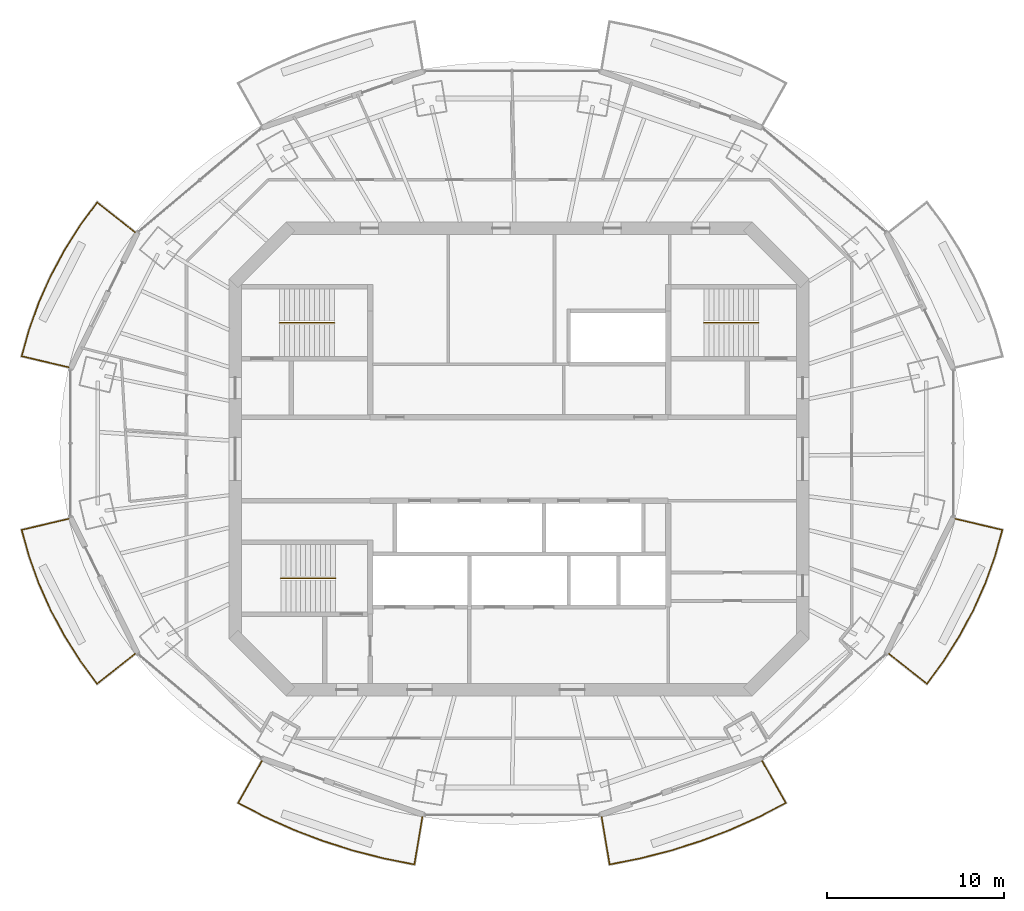
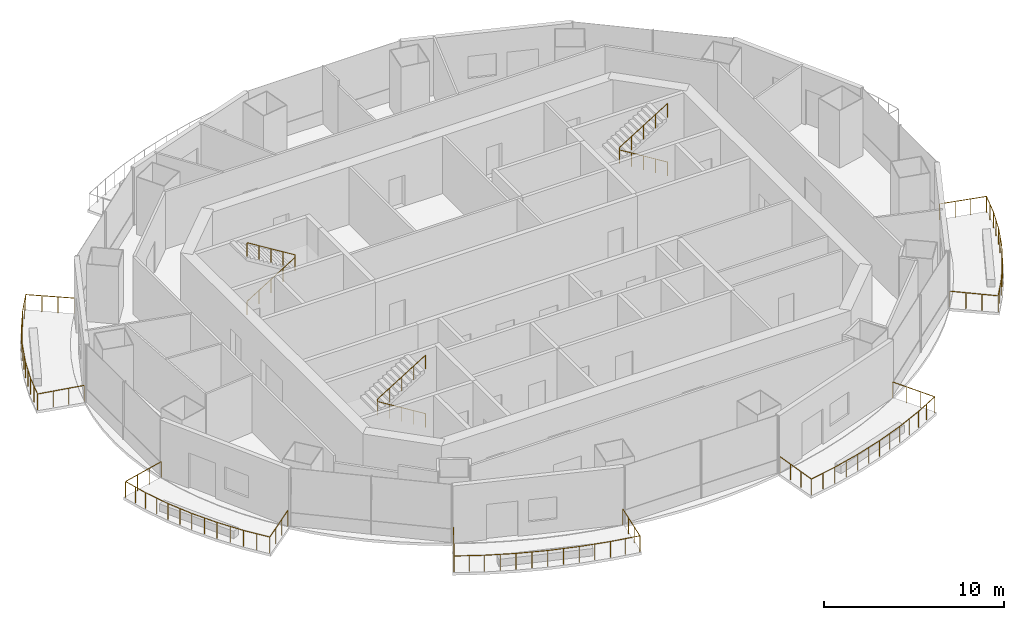
# One storey, part 12 of 14: 8 railings.
"""IFC4 building model written with IfcOpenShell, lengths in metres."""

from ifc_helpers import new_model, si_unit, direction, frame, origin, origin_2d, place, context, subcontext, project, spatial, circle, extrude, material, type_object, element, save


model = new_model("IFC4")

# Units and contexts
model_context = context("Model", 3, precision=1e-05, world=origin(), true_north=direction((0.0, 1.0)))
body_context = subcontext(model_context, "Body", "Model", "MODEL_VIEW")
ifc_project = project(units=[si_unit("LENGTHUNIT", "METRE"), si_unit("AREAUNIT", "SQUARE_METRE"), si_unit("VOLUMEUNIT", "CUBIC_METRE"), si_unit("PLANEANGLEUNIT", "RADIAN"), si_unit("MASSUNIT", "GRAM", prefix="KILO")], contexts=[model_context])

# Site, building, storey
site_placement = place(None, origin())
site = spatial("IfcSite", under=ifc_project, at=site_placement, CompositionType="ELEMENT")
building_placement = place(site_placement, origin())
building = spatial("IfcBuilding", under=site, at=building_placement, Name="Marenthal Gate Tower", CompositionType="ELEMENT")
storey_placement = place(building_placement, frame((0.0, 0.0, 392.39990234375)))
storey = spatial("IfcBuildingStorey", under=building, at=storey_placement, Name="L89", CompositionType="ELEMENT", Elevation=392.39990234375)

# Railings
ifc_material_1 = material(Name="Stainless steel", Category="steel")
railing_type_1 = type_object("IfcRailingType", Name="Balcony guard 1100", PredefinedType="GUARDRAIL", material=ifc_material_1)
railing_1_placement = place(storey_placement, frame((-25.3916015625, 5.17236328125, 0.0)))
element("IfcRailing", 1, at=railing_1_placement, inside=storey, type_object=railing_type_1, Name="Balcony guard L89 bay 7", PredefinedType="GUARDRAIL", context=body_context, shape_type="SweptSolid", body=[
    extrude(circle(Radius=0.02392578125, at=origin_2d()), frame((0.0, 0.0, 1.076171875), z_axis=(-0.97324351076, 0.229309956657, -0.014629167489), x_axis=(-0.2293344982, -0.973347670637, 0.0)), (0.0, 0.0, 1.0), 2.72021484375),
    extrude(circle(Radius=0.02392578125, at=origin_2d()), frame((-2.6474609375, 0.623779296875, 1.0361328125), z_axis=(0.268383876194, 0.963312044459, 0.0), x_axis=(-0.963312044459, 0.268383876194, 0.0)), (0.0, 0.0, 1.0), 1.54833984375),
    extrude(circle(Radius=0.02392578125, at=origin_2d()), frame((-2.23193359375, 2.115234375, 1.0361328125), z_axis=(0.338455003205, 0.940982577312, 0.0), x_axis=(-0.940982577312, 0.338455003205, 0.0)), (0.0, 0.0, 1.0), 1.634521484375),
    extrude(circle(Radius=0.02392578125, at=origin_2d()), frame((-1.6787109375, 3.6533203125, 1.0361328125), z_axis=(0.40761322546, 0.91315467388, 0.0), x_axis=(-0.91315467388, 0.40761322546, 0.0)), (0.0, 0.0, 1.0), 1.642822265625),
    extrude(circle(Radius=0.02392578125, at=origin_2d()), frame((-1.009033203125, 5.153564453125, 1.0361328125), z_axis=(0.473209477618, 0.880949936315, 0.0), x_axis=(-0.880949936315, 0.473209477618, 0.0)), (0.0, 0.0, 1.0), 1.652099609375),
    extrude(circle(Radius=0.02392578125, at=origin_2d()), frame((-0.227294921875, 6.60888671875, 1.0361328125), z_axis=(0.53537343379, 0.844615466583, 0.0), x_axis=(-0.844615466583, 0.53537343379, 0.0)), (0.0, 0.0, 1.0), 1.66259765625),
    extrude(circle(Radius=0.02392578125, at=origin_2d()), frame((0.662841796875, 8.01318359375, 1.0361328125), z_axis=(0.592007425155, 0.805932508689, 0.0), x_axis=(-0.805932508689, 0.592007425155, 0.0)), (0.0, 0.0, 1.0), 1.59423828125),
    extrude(circle(Radius=0.02392578125, at=origin_2d()), frame((1.606689453125, 9.298095703125, 1.0361328125), z_axis=(0.783961941337, -0.620636536892, 0.014627495013), x_axis=(0.620702944366, 0.784045824462, 0.0)), (0.0, 0.0, 1.0), 2.720458984375),
    extrude(circle(Radius=0.02099609375, at=origin_2d()), origin(), (0.0, 0.0, 1.0), 1.052001953125),
    extrude(circle(Radius=0.02099609375, at=origin_2d()), frame((-0.882568359375, 0.2080078125, -0.01318359375)), (0.0, 0.0, 1.0), 1.052001953125),
    extrude(circle(Radius=0.02099609375, at=origin_2d()), frame((-1.764892578125, 0.415771484375, -0.026611328125)), (0.0, 0.0, 1.0), 1.052001953125),
    extrude(circle(Radius=0.02099609375, at=origin_2d()), frame((-2.6474609375, 0.623779296875, -0.039794921875)), (0.0, 0.0, 1.0), 1.052001953125),
    extrude(circle(Radius=0.02099609375, at=origin_2d()), frame((-2.439697265625, 1.36962890625, -0.039794921875)), (0.0, 0.0, 1.0), 1.052001953125),
    extrude(circle(Radius=0.02099609375, at=origin_2d()), frame((-2.23193359375, 2.115234375, -0.039794921875)), (0.0, 0.0, 1.0), 1.052001953125),
    extrude(circle(Radius=0.02099609375, at=origin_2d()), frame((-1.955322265625, 2.88427734375, -0.039794921875)), (0.0, 0.0, 1.0), 1.052001953125),
    extrude(circle(Radius=0.02099609375, at=origin_2d()), frame((-1.6787109375, 3.6533203125, -0.039794921875)), (0.0, 0.0, 1.0), 1.052001953125),
    extrude(circle(Radius=0.02099609375, at=origin_2d()), frame((-1.34375, 4.4033203125, -0.039794921875)), (0.0, 0.0, 1.0), 1.052001953125),
    extrude(circle(Radius=0.02099609375, at=origin_2d()), frame((-1.009033203125, 5.153564453125, -0.039794921875)), (0.0, 0.0, 1.0), 1.052001953125),
    extrude(circle(Radius=0.02099609375, at=origin_2d()), frame((-0.6181640625, 5.88134765625, -0.039794921875)), (0.0, 0.0, 1.0), 1.052001953125),
    extrude(circle(Radius=0.02099609375, at=origin_2d()), frame((-0.227294921875, 6.60888671875, -0.039794921875)), (0.0, 0.0, 1.0), 1.052001953125),
    extrude(circle(Radius=0.02099609375, at=origin_2d()), frame((0.2177734375, 7.31103515625, -0.039794921875)), (0.0, 0.0, 1.0), 1.052001953125),
    extrude(circle(Radius=0.02099609375, at=origin_2d()), frame((0.662841796875, 8.01318359375, -0.039794921875)), (0.0, 0.0, 1.0), 1.052001953125),
    extrude(circle(Radius=0.02099609375, at=origin_2d()), frame((1.134765625, 8.65576171875, -0.039794921875)), (0.0, 0.0, 1.0), 1.052001953125),
    extrude(circle(Radius=0.02099609375, at=origin_2d()), frame((1.606689453125, 9.298095703125, -0.039794921875)), (0.0, 0.0, 1.0), 1.052001953125),
    extrude(circle(Radius=0.02099609375, at=origin_2d()), frame((2.317626953125, 8.7353515625, -0.026611328125)), (0.0, 0.0, 1.0), 1.052001953125),
    extrude(circle(Radius=0.02099609375, at=origin_2d()), frame((3.028564453125, 8.17236328125, -0.01318359375)), (0.0, 0.0, 1.0), 1.052001953125),
    extrude(circle(Radius=0.02099609375, at=origin_2d()), frame((3.739501953125, 7.609619140625, 0.0)), (0.0, 0.0, 1.0), 1.052001953125),
])
railing_2_placement = place(storey_placement, frame((-21.652099609375, -10.982177734375, 0.0)))
element("IfcRailing", 2, at=railing_2_placement, inside=storey, type_object=railing_type_1, Name="Balcony guard L89 bay 9", PredefinedType="GUARDRAIL", context=body_context, shape_type="SweptSolid", body=[
    extrude(circle(Radius=0.02392578125, at=origin_2d()), frame((0.0, 0.0, 1.076171875), z_axis=(-0.784005604938, -0.620581359678, -0.014628309708), x_axis=(0.620647768646, -0.784089502082, 0.0)), (0.0, 0.0, 1.0), 2.720458984375),
    extrude(circle(Radius=0.02392578125, at=origin_2d()), frame((-2.1328125, -1.688232421875, 1.0361328125), z_axis=(-0.592080493668, 0.805878830233, 0.0), x_axis=(-0.805878830233, -0.592080493668, 0.0)), (0.0, 0.0, 1.0), 1.59423828125),
    extrude(circle(Radius=0.02392578125, at=origin_2d()), frame((-3.07666015625, -0.403564453125, 1.0361328125), z_axis=(-0.535307042217, 0.844657546318, 0.0), x_axis=(-0.844657546318, -0.535307042217, 0.0)), (0.0, 0.0, 1.0), 1.662841796875),
    extrude(circle(Radius=0.02392578125, at=origin_2d()), frame((-3.966796875, 1.0009765625, 1.0361328125), z_axis=(-0.473209477618, 0.880949936315, 0.0), x_axis=(-0.880949936315, -0.473209477618, 0.0)), (0.0, 0.0, 1.0), 1.652099609375),
    extrude(circle(Radius=0.02392578125, at=origin_2d()), frame((-4.74853515625, 2.456298828125, 1.0361328125), z_axis=(-0.40761322546, 0.91315467388, 0.0), x_axis=(-0.91315467388, -0.40761322546, 0.0)), (0.0, 0.0, 1.0), 1.642822265625),
    extrude(circle(Radius=0.02392578125, at=origin_2d()), frame((-5.418212890625, 3.95654296875, 1.0361328125), z_axis=(-0.338455003205, 0.940982577312, 0.0), x_axis=(-0.940982577312, -0.338455003205, 0.0)), (0.0, 0.0, 1.0), 1.634521484375),
    extrude(circle(Radius=0.02392578125, at=origin_2d()), frame((-5.971435546875, 5.49462890625, 1.0361328125), z_axis=(-0.268383876194, 0.963312044459, 0.0), x_axis=(-0.963312044459, -0.268383876194, 0.0)), (0.0, 0.0, 1.0), 1.54833984375),
    extrude(circle(Radius=0.02392578125, at=origin_2d()), frame((-6.386962890625, 6.986083984375, 1.0361328125), z_axis=(0.97324351076, 0.229309956657, 0.014629167489), x_axis=(-0.2293344982, 0.973347670637, 0.0)), (0.0, 0.0, 1.0), 2.72021484375),
    extrude(circle(Radius=0.02099609375, at=origin_2d()), origin(), (0.0, 0.0, 1.0), 1.052001953125),
    extrude(circle(Radius=0.02099609375, at=origin_2d()), frame((-0.7109375, -0.562744140625, -0.01318359375)), (0.0, 0.0, 1.0), 1.052001953125),
    extrude(circle(Radius=0.02099609375, at=origin_2d()), frame((-1.421875, -1.12548828125, -0.026611328125)), (0.0, 0.0, 1.0), 1.052001953125),
    extrude(circle(Radius=0.02099609375, at=origin_2d()), frame((-2.1328125, -1.688232421875, -0.039794921875)), (0.0, 0.0, 1.0), 1.052001953125),
    extrude(circle(Radius=0.02099609375, at=origin_2d()), frame((-2.604736328125, -1.0458984375, -0.039794921875)), (0.0, 0.0, 1.0), 1.052001953125),
    extrude(circle(Radius=0.02099609375, at=origin_2d()), frame((-3.07666015625, -0.403564453125, -0.039794921875)), (0.0, 0.0, 1.0), 1.052001953125),
    extrude(circle(Radius=0.02099609375, at=origin_2d()), frame((-3.521728515625, 0.298828125, -0.039794921875)), (0.0, 0.0, 1.0), 1.052001953125),
    extrude(circle(Radius=0.02099609375, at=origin_2d()), frame((-3.966796875, 1.0009765625, -0.039794921875)), (0.0, 0.0, 1.0), 1.052001953125),
    extrude(circle(Radius=0.02099609375, at=origin_2d()), frame((-4.357666015625, 1.728515625, -0.039794921875)), (0.0, 0.0, 1.0), 1.052001953125),
    extrude(circle(Radius=0.02099609375, at=origin_2d()), frame((-4.74853515625, 2.456298828125, -0.039794921875)), (0.0, 0.0, 1.0), 1.052001953125),
    extrude(circle(Radius=0.02099609375, at=origin_2d()), frame((-5.08349609375, 3.20654296875, -0.039794921875)), (0.0, 0.0, 1.0), 1.052001953125),
    extrude(circle(Radius=0.02099609375, at=origin_2d()), frame((-5.418212890625, 3.95654296875, -0.039794921875)), (0.0, 0.0, 1.0), 1.052001953125),
    extrude(circle(Radius=0.02099609375, at=origin_2d()), frame((-5.69482421875, 4.7255859375, -0.039794921875)), (0.0, 0.0, 1.0), 1.052001953125),
    extrude(circle(Radius=0.02099609375, at=origin_2d()), frame((-5.971435546875, 5.49462890625, -0.039794921875)), (0.0, 0.0, 1.0), 1.052001953125),
    extrude(circle(Radius=0.02099609375, at=origin_2d()), frame((-6.17919921875, 6.240234375, -0.039794921875)), (0.0, 0.0, 1.0), 1.052001953125),
    extrude(circle(Radius=0.02099609375, at=origin_2d()), frame((-6.386962890625, 6.986083984375, -0.039794921875)), (0.0, 0.0, 1.0), 1.052001953125),
    extrude(circle(Radius=0.02099609375, at=origin_2d()), frame((-5.50439453125, 7.194091796875, -0.026611328125)), (0.0, 0.0, 1.0), 1.052001953125),
    extrude(circle(Radius=0.02099609375, at=origin_2d()), frame((-4.6220703125, 7.40185546875, -0.01318359375)), (0.0, 0.0, 1.0), 1.052001953125),
    extrude(circle(Radius=0.02099609375, at=origin_2d()), frame((-3.739501953125, 7.60986328125, 0.0)), (0.0, 0.0, 1.0), 1.052001953125),
])
railing_3_placement = place(storey_placement, frame((-5.45361328125, -20.173583984375, 0.0)))
element("IfcRailing", 3, at=railing_3_placement, inside=storey, type_object=railing_type_1, Name="Balcony guard L89 bay 11", PredefinedType="GUARDRAIL", context=body_context, shape_type="SweptSolid", body=[
    extrude(circle(Radius=0.02392578125, at=origin_2d()), frame((0.0, 0.0, 1.076171875), z_axis=(-0.165574607634, -0.986088774354, -0.014628000566), x_axis=(0.986194292137, -0.165592325172, 0.0)), (0.0, 0.0, 1.0), 2.720458984375),
    extrude(circle(Radius=0.02392578125, at=origin_2d()), frame((-0.450439453125, -2.6826171875, 1.0361328125), z_axis=(-0.980964438723, 0.194187460876, 0.0), x_axis=(-0.194187460876, -0.980964438723, 0.0)), (0.0, 0.0, 1.0), 1.728759765625),
    extrude(circle(Radius=0.02392578125, at=origin_2d()), frame((-2.146240234375, -2.346923828125, 1.0361328125), z_axis=(-0.968780763382, 0.247919003914, 0.0), x_axis=(-0.247919003914, -0.968780763382, 0.0)), (0.0, 0.0, 1.0), 1.802001953125),
    extrude(circle(Radius=0.02392578125, at=origin_2d()), frame((-3.89208984375, -1.900146484375, 1.0361328125), z_axis=(-0.95315602873, 0.30247906522, 0.0), x_axis=(-0.30247906522, -0.95315602873, 0.0)), (0.0, 0.0, 1.0), 1.794189453125),
    extrude(circle(Radius=0.02392578125, at=origin_2d()), frame((-5.602294921875, -1.357421875, 1.0361328125), z_axis=(-0.934181923489, 0.356797048512, 0.0), x_axis=(-0.356797048512, -0.934181923489, 0.0)), (0.0, 0.0, 1.0), 1.78515625),
    extrude(circle(Radius=0.02392578125, at=origin_2d()), frame((-7.27001953125, -0.720458984375, 1.0361328125), z_axis=(-0.911620111455, 0.411033784975, 0.0), x_axis=(-0.411033784975, -0.911620111455, 0.0)), (0.0, 0.0, 1.0), 1.774658203125),
    extrude(circle(Radius=0.02392578125, at=origin_2d()), frame((-8.887939453125, 0.009033203125, 1.0361328125), z_axis=(-0.88630797914, 0.463096281688, 0.0), x_axis=(-0.463096281688, -0.88630797914, 0.0)), (0.0, 0.0, 1.0), 1.683349609375),
    extrude(circle(Radius=0.02392578125, at=origin_2d()), frame((-10.3798828125, 0.78857421875, 1.0361328125), z_axis=(0.491197032931, 0.870925636317, 0.014629109514), x_axis=(-0.871018845044, 0.491249602115, 0.0)), (0.0, 0.0, 1.0), 2.72021484375),
    extrude(circle(Radius=0.02099609375, at=origin_2d()), origin(), (0.0, 0.0, 1.0), 1.052001953125),
    extrude(circle(Radius=0.02099609375, at=origin_2d()), frame((-0.150146484375, -0.894287109375, -0.01318359375)), (0.0, 0.0, 1.0), 1.052001953125),
    extrude(circle(Radius=0.02099609375, at=origin_2d()), frame((-0.30029296875, -1.788330078125, -0.026611328125)), (0.0, 0.0, 1.0), 1.052001953125),
    extrude(circle(Radius=0.02099609375, at=origin_2d()), frame((-0.450439453125, -2.6826171875, -0.039794921875)), (0.0, 0.0, 1.0), 1.052001953125),
    extrude(circle(Radius=0.02099609375, at=origin_2d()), frame((-1.29833984375, -2.5146484375, -0.039794921875)), (0.0, 0.0, 1.0), 1.052001953125),
    extrude(circle(Radius=0.02099609375, at=origin_2d()), frame((-2.146240234375, -2.346923828125, -0.039794921875)), (0.0, 0.0, 1.0), 1.052001953125),
    extrude(circle(Radius=0.02099609375, at=origin_2d()), frame((-3.01904296875, -2.12353515625, -0.039794921875)), (0.0, 0.0, 1.0), 1.052001953125),
    extrude(circle(Radius=0.02099609375, at=origin_2d()), frame((-3.89208984375, -1.900146484375, -0.039794921875)), (0.0, 0.0, 1.0), 1.052001953125),
    extrude(circle(Radius=0.02099609375, at=origin_2d()), frame((-4.7470703125, -1.62890625, -0.039794921875)), (0.0, 0.0, 1.0), 1.052001953125),
    extrude(circle(Radius=0.02099609375, at=origin_2d()), frame((-5.602294921875, -1.357421875, -0.039794921875)), (0.0, 0.0, 1.0), 1.052001953125),
    extrude(circle(Radius=0.02099609375, at=origin_2d()), frame((-6.43603515625, -1.0390625, -0.039794921875)), (0.0, 0.0, 1.0), 1.052001953125),
    extrude(circle(Radius=0.02099609375, at=origin_2d()), frame((-7.27001953125, -0.720458984375, -0.039794921875)), (0.0, 0.0, 1.0), 1.052001953125),
    extrude(circle(Radius=0.02099609375, at=origin_2d()), frame((-8.0791015625, -0.355712890625, -0.039794921875)), (0.0, 0.0, 1.0), 1.052001953125),
    extrude(circle(Radius=0.02099609375, at=origin_2d()), frame((-8.887939453125, 0.009033203125, -0.039794921875)), (0.0, 0.0, 1.0), 1.052001953125),
    extrude(circle(Radius=0.02099609375, at=origin_2d()), frame((-9.6337890625, 0.39892578125, -0.039794921875)), (0.0, 0.0, 1.0), 1.052001953125),
    extrude(circle(Radius=0.02099609375, at=origin_2d()), frame((-10.3798828125, 0.78857421875, -0.039794921875)), (0.0, 0.0, 1.0), 1.052001953125),
    extrude(circle(Radius=0.02099609375, at=origin_2d()), frame((-9.9345703125, 1.578369140625, -0.026611328125)), (0.0, 0.0, 1.0), 1.052001953125),
    extrude(circle(Radius=0.02099609375, at=origin_2d()), frame((-9.489013671875, 2.367919921875, -0.01318359375)), (0.0, 0.0, 1.0), 1.052001953125),
    extrude(circle(Radius=0.02099609375, at=origin_2d()), frame((-9.043701171875, 3.15771484375, 0.0)), (0.0, 0.0, 1.0), 1.052001953125),
])
railing_4_placement = place(storey_placement, frame((13.697265625, -17.015869140625, 0.0)))
element("IfcRailing", 4, at=railing_4_placement, inside=storey, type_object=railing_type_1, Name="Balcony guard L89 bay 13", PredefinedType="GUARDRAIL", context=body_context, shape_type="SweptSolid", body=[
    extrude(circle(Radius=0.02392578125, at=origin_2d()), frame((0.0, 0.0, 1.076171875), z_axis=(0.491197032931, -0.870925636317, -0.014629109514), x_axis=(0.871018845044, 0.491249602115, 0.0)), (0.0, 0.0, 1.0), 2.72021484375),
    extrude(circle(Radius=0.02392578125, at=origin_2d()), frame((1.336181640625, -2.369140625, 1.0361328125), z_axis=(-0.88630797914, -0.463096281688, 0.0), x_axis=(0.463096281688, -0.88630797914, 0.0)), (0.0, 0.0, 1.0), 1.683349609375),
    extrude(circle(Radius=0.02392578125, at=origin_2d()), frame((-0.15576171875, -3.148681640625, 1.0361328125), z_axis=(-0.911620111455, -0.411033784975, 0.0), x_axis=(0.411033784975, -0.911620111455, 0.0)), (0.0, 0.0, 1.0), 1.774658203125),
    extrude(circle(Radius=0.02392578125, at=origin_2d()), frame((-1.773681640625, -3.878173828125, 1.0361328125), z_axis=(-0.934164510517, -0.356842636594, 0.0), x_axis=(0.356842636594, -0.934164510517, 0.0)), (0.0, 0.0, 1.0), 1.784912109375),
    extrude(circle(Radius=0.02392578125, at=origin_2d()), frame((-3.441162109375, -4.51513671875, 1.0361328125), z_axis=(-0.95315602873, -0.30247906522, 0.0), x_axis=(0.30247906522, -0.95315602873, 0.0)), (0.0, 0.0, 1.0), 1.794189453125),
    extrude(circle(Radius=0.02392578125, at=origin_2d()), frame((-5.1513671875, -5.057861328125, 1.0361328125), z_axis=(-0.968789088547, -0.247886469804, 0.0), x_axis=(0.247886469804, -0.968789088547, 0.0)), (0.0, 0.0, 1.0), 1.80224609375),
    extrude(circle(Radius=0.02392578125, at=origin_2d()), frame((-6.8974609375, -5.504638671875, 1.0361328125), z_axis=(-0.980964438723, -0.194187460876, 0.0), x_axis=(0.194187460876, -0.980964438723, 0.0)), (0.0, 0.0, 1.0), 1.728759765625),
    extrude(circle(Radius=0.02392578125, at=origin_2d()), frame((-8.59326171875, -5.84033203125, 1.0361328125), z_axis=(-0.165487323636, 0.986103423053, 0.01462821787), x_axis=(-0.98620894554, -0.16550503236, 0.0)), (0.0, 0.0, 1.0), 2.720458984375),
    extrude(circle(Radius=0.02099609375, at=origin_2d()), origin(), (0.0, 0.0, 1.0), 1.052001953125),
    extrude(circle(Radius=0.02099609375, at=origin_2d()), frame((0.4453125, -0.789794921875, -0.01318359375)), (0.0, 0.0, 1.0), 1.052001953125),
    extrude(circle(Radius=0.02099609375, at=origin_2d()), frame((0.890869140625, -1.579345703125, -0.026611328125)), (0.0, 0.0, 1.0), 1.052001953125),
    extrude(circle(Radius=0.02099609375, at=origin_2d()), frame((1.336181640625, -2.369140625, -0.039794921875)), (0.0, 0.0, 1.0), 1.052001953125),
    extrude(circle(Radius=0.02099609375, at=origin_2d()), frame((0.59033203125, -2.7587890625, -0.039794921875)), (0.0, 0.0, 1.0), 1.052001953125),
    extrude(circle(Radius=0.02099609375, at=origin_2d()), frame((-0.15576171875, -3.148681640625, -0.039794921875)), (0.0, 0.0, 1.0), 1.052001953125),
    extrude(circle(Radius=0.02099609375, at=origin_2d()), frame((-0.96484375, -3.513427734375, -0.039794921875)), (0.0, 0.0, 1.0), 1.052001953125),
    extrude(circle(Radius=0.02099609375, at=origin_2d()), frame((-1.773681640625, -3.878173828125, -0.039794921875)), (0.0, 0.0, 1.0), 1.052001953125),
    extrude(circle(Radius=0.02099609375, at=origin_2d()), frame((-2.607421875, -4.19677734375, -0.039794921875)), (0.0, 0.0, 1.0), 1.052001953125),
    extrude(circle(Radius=0.02099609375, at=origin_2d()), frame((-3.441162109375, -4.51513671875, -0.039794921875)), (0.0, 0.0, 1.0), 1.052001953125),
    extrude(circle(Radius=0.02099609375, at=origin_2d()), frame((-4.29638671875, -4.78662109375, -0.039794921875)), (0.0, 0.0, 1.0), 1.052001953125),
    extrude(circle(Radius=0.02099609375, at=origin_2d()), frame((-5.1513671875, -5.057861328125, -0.039794921875)), (0.0, 0.0, 1.0), 1.052001953125),
    extrude(circle(Radius=0.02099609375, at=origin_2d()), frame((-6.0244140625, -5.28125, -0.039794921875)), (0.0, 0.0, 1.0), 1.052001953125),
    extrude(circle(Radius=0.02099609375, at=origin_2d()), frame((-6.8974609375, -5.504638671875, -0.039794921875)), (0.0, 0.0, 1.0), 1.052001953125),
    extrude(circle(Radius=0.02099609375, at=origin_2d()), frame((-7.745361328125, -5.67236328125, -0.039794921875)), (0.0, 0.0, 1.0), 1.052001953125),
    extrude(circle(Radius=0.02099609375, at=origin_2d()), frame((-8.59326171875, -5.84033203125, -0.039794921875)), (0.0, 0.0, 1.0), 1.052001953125),
    extrude(circle(Radius=0.02099609375, at=origin_2d()), frame((-8.743408203125, -4.946044921875, -0.026611328125)), (0.0, 0.0, 1.0), 1.052001953125),
    extrude(circle(Radius=0.02099609375, at=origin_2d()), frame((-8.893310546875, -4.052001953125, -0.01318359375)), (0.0, 0.0, 1.0), 1.052001953125),
    extrude(circle(Radius=0.02099609375, at=origin_2d()), frame((-9.04345703125, -3.15771484375, 0.0)), (0.0, 0.0, 1.0), 1.052001953125),
])
railing_5_placement = place(storey_placement, frame((24.591552734375, -3.372314453125, 0.0)))
element("IfcRailing", 5, at=railing_5_placement, inside=storey, type_object=railing_type_1, Name="Balcony guard L89 bay 15", PredefinedType="GUARDRAIL", context=body_context, shape_type="SweptSolid", body=[
    extrude(circle(Radius=0.02392578125, at=origin_2d()), frame((0.0, 0.0, 1.076171875), z_axis=(0.97324351076, -0.229309956657, -0.014629167489), x_axis=(0.2293344982, 0.973347670637, 0.0)), (0.0, 0.0, 1.0), 2.72021484375),
    extrude(circle(Radius=0.02392578125, at=origin_2d()), frame((2.6474609375, -0.623779296875, 1.0361328125), z_axis=(-0.268237537757, -0.963352803151, 0.0), x_axis=(0.963352803151, -0.268237537757, 0.0)), (0.0, 0.0, 1.0), 1.548095703125),
    extrude(circle(Radius=0.02392578125, at=origin_2d()), frame((2.232177734375, -2.115234375, 1.0361328125), z_axis=(-0.338587245769, -0.940935001476, 0.0), x_axis=(0.940935001476, -0.338587245769, 0.0)), (0.0, 0.0, 1.0), 1.634521484375),
    extrude(circle(Radius=0.02392578125, at=origin_2d()), frame((1.6787109375, -3.6533203125, 1.0361328125), z_axis=(-0.407489302834, -0.913209980276, 0.0), x_axis=(0.913209980276, -0.407489302834, 0.0)), (0.0, 0.0, 1.0), 1.642822265625),
    extrude(circle(Radius=0.02392578125, at=origin_2d()), frame((1.00927734375, -5.153564453125, 1.0361328125), z_axis=(-0.473324157966, -0.880888325207, 0.0), x_axis=(0.880888325207, -0.473324157966, 0.0)), (0.0, 0.0, 1.0), 1.652099609375),
    extrude(circle(Radius=0.02392578125, at=origin_2d()), frame((0.227294921875, -6.60888671875, 1.0361328125), z_axis=(-0.535307042217, -0.844657546318, 0.0), x_axis=(0.844657546318, -0.535307042217, 0.0)), (0.0, 0.0, 1.0), 1.662841796875),
    extrude(circle(Radius=0.02392578125, at=origin_2d()), frame((-0.662841796875, -8.013427734375, 1.0361328125), z_axis=(-0.592080493668, -0.805878830233, 0.0), x_axis=(0.805878830233, -0.592080493668, 0.0)), (0.0, 0.0, 1.0), 1.59423828125),
    extrude(circle(Radius=0.02392578125, at=origin_2d()), frame((-1.606689453125, -9.298095703125, 1.0361328125), z_axis=(-0.783971019676, 0.62062502588, 0.014629339005), x_axis=(-0.620691448869, -0.784054924926, 0.0)), (0.0, 0.0, 1.0), 2.72021484375),
    extrude(circle(Radius=0.02099609375, at=origin_2d()), origin(), (0.0, 0.0, 1.0), 1.052001953125),
    extrude(circle(Radius=0.02099609375, at=origin_2d()), frame((0.882568359375, -0.2080078125, -0.01318359375)), (0.0, 0.0, 1.0), 1.052001953125),
    extrude(circle(Radius=0.02099609375, at=origin_2d()), frame((1.764892578125, -0.415771484375, -0.026611328125)), (0.0, 0.0, 1.0), 1.052001953125),
    extrude(circle(Radius=0.02099609375, at=origin_2d()), frame((2.6474609375, -0.623779296875, -0.039794921875)), (0.0, 0.0, 1.0), 1.052001953125),
    extrude(circle(Radius=0.02099609375, at=origin_2d()), frame((2.43994140625, -1.36962890625, -0.039794921875)), (0.0, 0.0, 1.0), 1.052001953125),
    extrude(circle(Radius=0.02099609375, at=origin_2d()), frame((2.232177734375, -2.115234375, -0.039794921875)), (0.0, 0.0, 1.0), 1.052001953125),
    extrude(circle(Radius=0.02099609375, at=origin_2d()), frame((1.95556640625, -2.88427734375, -0.039794921875)), (0.0, 0.0, 1.0), 1.052001953125),
    extrude(circle(Radius=0.02099609375, at=origin_2d()), frame((1.6787109375, -3.6533203125, -0.039794921875)), (0.0, 0.0, 1.0), 1.052001953125),
    extrude(circle(Radius=0.02099609375, at=origin_2d()), frame((1.343994140625, -4.4033203125, -0.039794921875)), (0.0, 0.0, 1.0), 1.052001953125),
    extrude(circle(Radius=0.02099609375, at=origin_2d()), frame((1.00927734375, -5.153564453125, -0.039794921875)), (0.0, 0.0, 1.0), 1.052001953125),
    extrude(circle(Radius=0.02099609375, at=origin_2d()), frame((0.6181640625, -5.88134765625, -0.039794921875)), (0.0, 0.0, 1.0), 1.052001953125),
    extrude(circle(Radius=0.02099609375, at=origin_2d()), frame((0.227294921875, -6.60888671875, -0.039794921875)), (0.0, 0.0, 1.0), 1.052001953125),
    extrude(circle(Radius=0.02099609375, at=origin_2d()), frame((-0.2177734375, -7.31103515625, -0.039794921875)), (0.0, 0.0, 1.0), 1.052001953125),
    extrude(circle(Radius=0.02099609375, at=origin_2d()), frame((-0.662841796875, -8.013427734375, -0.039794921875)), (0.0, 0.0, 1.0), 1.052001953125),
    extrude(circle(Radius=0.02099609375, at=origin_2d()), frame((-1.134765625, -8.65576171875, -0.039794921875)), (0.0, 0.0, 1.0), 1.052001953125),
    extrude(circle(Radius=0.02099609375, at=origin_2d()), frame((-1.606689453125, -9.298095703125, -0.039794921875)), (0.0, 0.0, 1.0), 1.052001953125),
    extrude(circle(Radius=0.02099609375, at=origin_2d()), frame((-2.317626953125, -8.7353515625, -0.026611328125)), (0.0, 0.0, 1.0), 1.052001953125),
    extrude(circle(Radius=0.02099609375, at=origin_2d()), frame((-3.0283203125, -8.172607421875, -0.01318359375)), (0.0, 0.0, 1.0), 1.052001953125),
    extrude(circle(Radius=0.02099609375, at=origin_2d()), frame((-3.7392578125, -7.60986328125, 0.0)), (0.0, 0.0, 1.0), 1.052001953125),
])
ifc_material_2 = material(Name="Stainless steel", Category="steel")
railing_type_2 = type_object("IfcRailingType", Name="Stair handrail", PredefinedType="HANDRAIL", material=ifc_material_2)
railing_6_placement = place(storey_placement, frame((-13.5, 7.675048828125, 0.173095703125)))
element("IfcRailing", 6, at=railing_6_placement, inside=storey, type_object=railing_type_2, Name="Handrail ST1", PredefinedType="HANDRAIL", context=body_context, shape_type="SweptSolid", body=[
    extrude(circle(Radius=0.0224609375, at=origin_2d()), frame((0.0, 0.0, 0.927490234375), z_axis=(0.850835241893, 0.0, 0.525432575268), x_axis=(0.0, 1.0, 0.0)), (0.0, 0.0, 1.0), 3.6201171875),
    extrude(circle(Radius=0.0224609375, at=origin_2d()), frame((3.080078125, 0.0, 2.82958984375), z_axis=(0.0, 0.0, 1.0), x_axis=(1.0, 0.0, 0.0)), (0.0, 0.0, 1.0), 0.1728515625),
    extrude(circle(Radius=0.0224609375, at=origin_2d()), frame((3.080078125, 0.0, 3.00244140625), z_axis=(-0.850835241893, 0.0, 0.525432575268), x_axis=(0.0, -1.0, 0.0)), (0.0, 0.0, 1.0), 3.6201171875),
    extrude(circle(Radius=0.02001953125, at=origin_2d()), origin(), (0.0, 0.0, 1.0), 0.905029296875),
    extrude(circle(Radius=0.02001953125, at=origin_2d()), frame((0.77001953125, 0.0, 0.4755859375)), (0.0, 0.0, 1.0), 0.905029296875),
    extrude(circle(Radius=0.02001953125, at=origin_2d()), frame((1.5400390625, 0.0, 0.951171875)), (0.0, 0.0, 1.0), 0.905029296875),
    extrude(circle(Radius=0.02001953125, at=origin_2d()), frame((2.31005859375, 0.0, 1.426513671875)), (0.0, 0.0, 1.0), 0.905029296875),
    extrude(circle(Radius=0.02001953125, at=origin_2d()), frame((3.080078125, 0.0, 1.902099609375)), (0.0, 0.0, 1.0), 0.905029296875),
    extrude(circle(Radius=0.02001953125, at=origin_2d()), frame((3.080078125, 0.0, 2.074951171875)), (0.0, 0.0, 1.0), 0.905029296875),
    extrude(circle(Radius=0.02001953125, at=origin_2d()), frame((2.31005859375, 0.0, 2.550537109375)), (0.0, 0.0, 1.0), 0.905029296875),
    extrude(circle(Radius=0.02001953125, at=origin_2d()), frame((1.5400390625, 0.0, 3.02587890625)), (0.0, 0.0, 1.0), 0.905029296875),
    extrude(circle(Radius=0.02001953125, at=origin_2d()), frame((0.77001953125, 0.0, 3.50146484375)), (0.0, 0.0, 1.0), 0.905029296875),
    extrude(circle(Radius=0.02001953125, at=origin_2d()), frame((0.0, 0.0, 3.97705078125)), (0.0, 0.0, 1.0), 0.905029296875),
])
railing_7_placement = place(storey_placement, frame((-10.35009765625, -6.72509765625, 0.173095703125)))
element("IfcRailing", 7, at=railing_7_placement, inside=storey, type_object=railing_type_2, Name="Handrail ST2", PredefinedType="HANDRAIL", context=body_context, shape_type="SweptSolid", body=[
    extrude(circle(Radius=0.0224609375, at=origin_2d()), frame((0.0, 0.0, 0.927490234375), z_axis=(-0.850816621229, 0.0, 0.525462726595), x_axis=(0.0, -1.0, 0.0)), (0.0, 0.0, 1.0), 3.619873046875),
    extrude(circle(Radius=0.0224609375, at=origin_2d()), frame((-3.079833984375, 0.0, 2.82958984375), z_axis=(0.0, 0.0, 1.0), x_axis=(1.0, 0.0, 0.0)), (0.0, 0.0, 1.0), 0.1728515625),
    extrude(circle(Radius=0.0224609375, at=origin_2d()), frame((-3.079833984375, 0.0, 3.00244140625), z_axis=(0.850816621229, 0.0, 0.525462726595), x_axis=(0.0, 1.0, 0.0)), (0.0, 0.0, 1.0), 3.619873046875),
    extrude(circle(Radius=0.02001953125, at=origin_2d()), origin(), (0.0, 0.0, 1.0), 0.905029296875),
    extrude(circle(Radius=0.02001953125, at=origin_2d()), frame((-0.77001953125, 0.0, 0.4755859375)), (0.0, 0.0, 1.0), 0.905029296875),
    extrude(circle(Radius=0.02001953125, at=origin_2d()), frame((-1.5400390625, 0.0, 0.951171875)), (0.0, 0.0, 1.0), 0.905029296875),
    extrude(circle(Radius=0.02001953125, at=origin_2d()), frame((-2.309814453125, 0.0, 1.426513671875)), (0.0, 0.0, 1.0), 0.905029296875),
    extrude(circle(Radius=0.02001953125, at=origin_2d()), frame((-3.079833984375, 0.0, 1.902099609375)), (0.0, 0.0, 1.0), 0.905029296875),
    extrude(circle(Radius=0.02001953125, at=origin_2d()), frame((-3.079833984375, 0.0, 2.074951171875)), (0.0, 0.0, 1.0), 0.905029296875),
    extrude(circle(Radius=0.02001953125, at=origin_2d()), frame((-2.309814453125, 0.0, 2.550537109375)), (0.0, 0.0, 1.0), 0.905029296875),
    extrude(circle(Radius=0.02001953125, at=origin_2d()), frame((-1.5400390625, 0.0, 3.02587890625)), (0.0, 0.0, 1.0), 0.905029296875),
    extrude(circle(Radius=0.02001953125, at=origin_2d()), frame((-0.77001953125, 0.0, 3.50146484375)), (0.0, 0.0, 1.0), 0.905029296875),
    extrude(circle(Radius=0.02001953125, at=origin_2d()), frame((0.0, 0.0, 3.97705078125)), (0.0, 0.0, 1.0), 0.905029296875),
])
railing_8_placement = place(storey_placement, frame((13.5, 7.675048828125, 0.173095703125)))
element("IfcRailing", 8, at=railing_8_placement, inside=storey, type_object=railing_type_2, Name="Handrail ST3", PredefinedType="HANDRAIL", context=body_context, shape_type="SweptSolid", body=[
    extrude(circle(Radius=0.0224609375, at=origin_2d()), frame((0.0, 0.0, 0.927490234375), z_axis=(-0.850835241893, 0.0, 0.525432575268), x_axis=(0.0, -1.0, 0.0)), (0.0, 0.0, 1.0), 3.6201171875),
    extrude(circle(Radius=0.0224609375, at=origin_2d()), frame((-3.080078125, 0.0, 2.82958984375), z_axis=(0.0, 0.0, 1.0), x_axis=(1.0, 0.0, 0.0)), (0.0, 0.0, 1.0), 0.1728515625),
    extrude(circle(Radius=0.0224609375, at=origin_2d()), frame((-3.080078125, 0.0, 3.00244140625), z_axis=(0.850835241893, 0.0, 0.525432575268), x_axis=(0.0, 1.0, 0.0)), (0.0, 0.0, 1.0), 3.6201171875),
    extrude(circle(Radius=0.02001953125, at=origin_2d()), origin(), (0.0, 0.0, 1.0), 0.905029296875),
    extrude(circle(Radius=0.02001953125, at=origin_2d()), frame((-0.77001953125, 0.0, 0.4755859375)), (0.0, 0.0, 1.0), 0.905029296875),
    extrude(circle(Radius=0.02001953125, at=origin_2d()), frame((-1.5400390625, 0.0, 0.951171875)), (0.0, 0.0, 1.0), 0.905029296875),
    extrude(circle(Radius=0.02001953125, at=origin_2d()), frame((-2.31005859375, 0.0, 1.426513671875)), (0.0, 0.0, 1.0), 0.905029296875),
    extrude(circle(Radius=0.02001953125, at=origin_2d()), frame((-3.080078125, 0.0, 1.902099609375)), (0.0, 0.0, 1.0), 0.905029296875),
    extrude(circle(Radius=0.02001953125, at=origin_2d()), frame((-3.080078125, 0.0, 2.074951171875)), (0.0, 0.0, 1.0), 0.905029296875),
    extrude(circle(Radius=0.02001953125, at=origin_2d()), frame((-2.31005859375, 0.0, 2.550537109375)), (0.0, 0.0, 1.0), 0.905029296875),
    extrude(circle(Radius=0.02001953125, at=origin_2d()), frame((-1.5400390625, 0.0, 3.02587890625)), (0.0, 0.0, 1.0), 0.905029296875),
    extrude(circle(Radius=0.02001953125, at=origin_2d()), frame((-0.77001953125, 0.0, 3.50146484375)), (0.0, 0.0, 1.0), 0.905029296875),
    extrude(circle(Radius=0.02001953125, at=origin_2d()), frame((0.0, 0.0, 3.97705078125)), (0.0, 0.0, 1.0), 0.905029296875),
])

save(model, "model.ifc")
